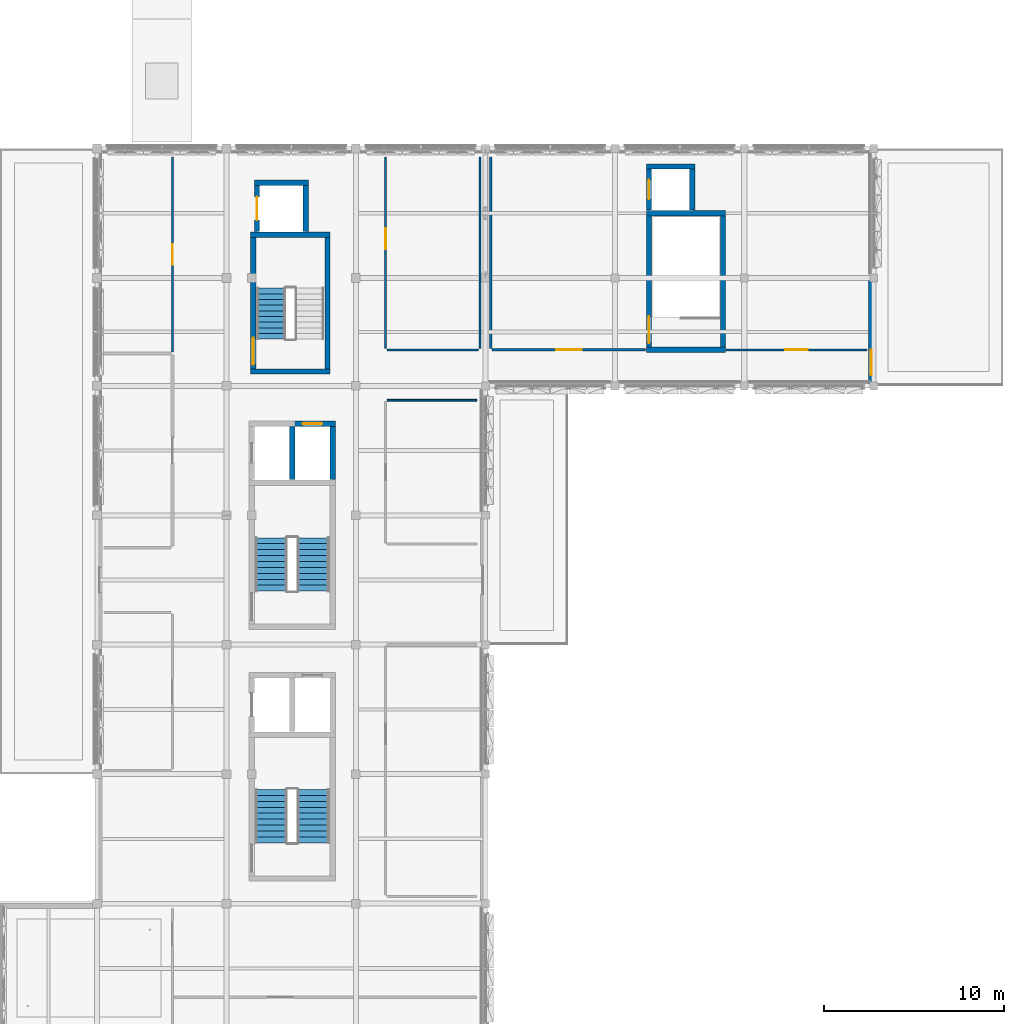
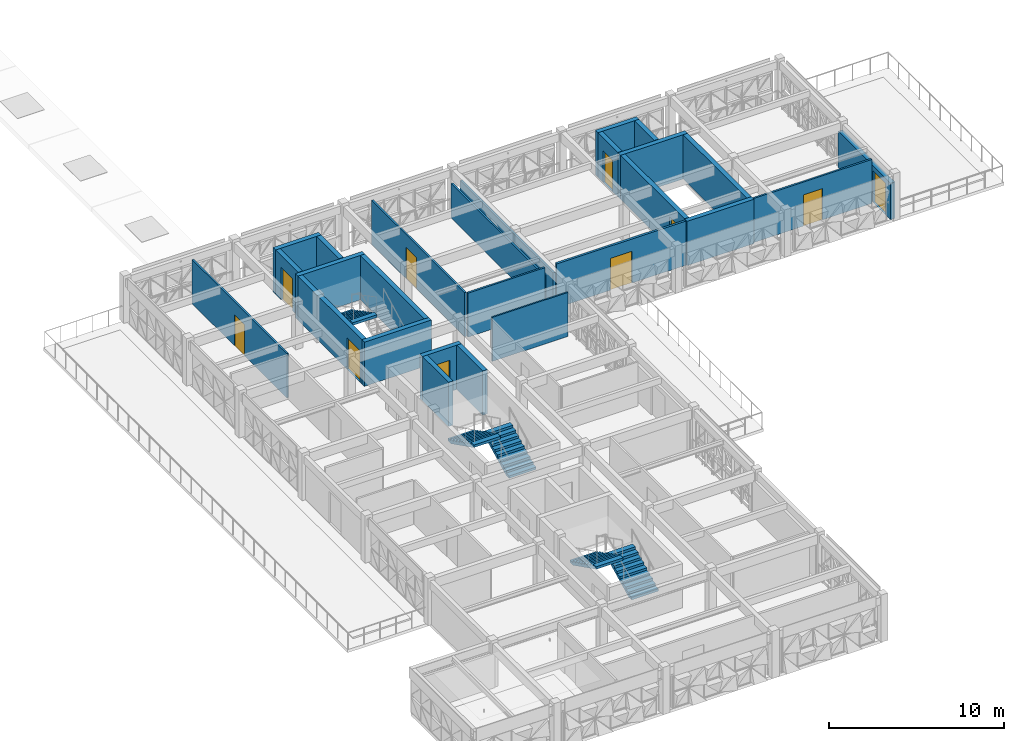
# One storey, part 20 of 35: 26 walls, 10 doors, 5 stair flights, 10 openings, 3 elements without a shape of their own.
"""IFC4 building model written with IfcOpenShell, lengths in metres."""

from ifc_helpers import new_model, si_unit, direction, frame, frame_2d, origin, place, context, subcontext, project, spatial, polyline, rectangle, outline, extrude, material, layer, layer_set, type_object, element, fill, aggregate, save


model = new_model("IFC4")

# Units and contexts
model_context = context("Model", 3, precision=1e-05, world=origin(), true_north=direction((0.0, 1.0)))
body_context = subcontext(model_context, "Body", "Model", "MODEL_VIEW")
ifc_project = project(units=[si_unit("LENGTHUNIT", "METRE"), si_unit("AREAUNIT", "SQUARE_METRE"), si_unit("VOLUMEUNIT", "CUBIC_METRE"), si_unit("PLANEANGLEUNIT", "RADIAN"), si_unit("MASSUNIT", "GRAM", prefix="KILO")], contexts=[model_context])

# Site, building, storey
site_placement = place(None, origin())
site = spatial("IfcSite", under=ifc_project, at=site_placement, CompositionType="ELEMENT")
building_placement = place(site_placement, origin())
building = spatial("IfcBuilding", under=site, at=building_placement, Name="Alvorim Cloister Faculty of Sciences", CompositionType="ELEMENT")
storey_placement = place(building_placement, frame((0.0, 0.0, 22.949951171875)))
storey = spatial("IfcBuildingStorey", under=building, at=storey_placement, Name="L06", CompositionType="ELEMENT", Elevation=22.949951171875)

# Wall, opening, door
ifc_material_1 = material(Name="Cross-Laminated Timber CLT C24", Category="wood")
ifc_layer_1 = layer(ifc_material_1, 0.280029296875)
ifc_layer_set_1 = layer_set([ifc_layer_1], Name="Cross-Laminated Timber CLT C24")
wall_type_1 = type_object("IfcWallType", Name="WL-EXT-TMB-280", PredefinedType="SOLIDWALL", material=ifc_layer_set_1)
wall_1_placement = place(storey_placement, frame((50.260009765625, 43.199951171875, 0.0), z_axis=(0.0, 0.0, 1.0), x_axis=(0.0, 1.0, 0.0)))
wall_1 = element("IfcWall", 1, at=wall_1_placement, inside=storey, type_object=wall_type_1, Name="L06 Exterior Wall WL-0238", PredefinedType="SOLIDWALL", context=body_context, shape_type="SweptSolid", body=[
    extrude(rectangle(XDim=6.0, YDim=0.280029296875, at=frame_2d((3.0, 0.0))), origin(), (0.0, 0.0, 1.0), 2.5400390625),
])
opening_1_placement = place(wall_1_placement, frame((0.60009765625, 0.0, 0.0)))
opening_1 = element("IfcOpeningElement", 2, at=opening_1_placement, cuts=wall_1, Name="Opening TD-12", PredefinedType="OPENING", context=body_context, shape_type="SweptSolid", body=[
    extrude(rectangle(XDim=1.39990234375, YDim=2.199951171875, at=frame_2d((0.699951171875, 1.10009765625))), frame((0.0, 0.15185546875, 0.0), z_axis=(0.0, -1.0, 0.0), x_axis=(1.0, 0.0, 0.0)), (0.0, 0.0, 1.0), 0.303955078125),
])
ifc_material_2 = material(Name="Aluminium Alloy 6063-T6", Category="aluminium")
door_type_1 = type_object("IfcDoorType", Name="DR-TER-1400x2200", OperationType="NOTDEFINED", PredefinedType="DOOR", material=ifc_material_2)
door_1_placement = place(opening_1_placement, origin())
door_1 = element("IfcDoor", 3, at=door_1_placement, inside=storey, type_object=door_type_1, Name="L06 North Laboratory Stepped Terrace Access Door TD-12", OperationType="DOUBLE_DOOR_SINGLE_SWING", OverallHeight=2.199951171875, OverallWidth=1.39990234375, PredefinedType="DOOR", context=body_context, shape_type="SweptSolid", body=[
    extrude(rectangle(XDim=1.39990234375, YDim=2.199951171875, at=frame_2d((0.699951171875, 1.10009765625))), frame((0.0, 0.02490234375, 0.0), z_axis=(0.0, -1.0, 0.0), x_axis=(1.0, 0.0, 0.0)), (0.0, 0.0, 1.0), 0.050048828125),
])
fill(opening_1, door_1)

# Wall
ifc_material_3 = material(Name="Moisture-Resistant Tile Stud Partition", Category="gypsum")
ifc_layer_2 = layer(ifc_material_3, 0.10009765625)
ifc_layer_set_2 = layer_set([ifc_layer_2], Name="Moisture-Resistant Tile Stud Partition")
wall_type_2 = type_object("IfcWallType", Name="WL-PRT-100", PredefinedType="PARTITIONING", material=ifc_layer_set_2)
wall_2_placement = place(storey_placement, frame((23.330078125, 42.39990234375, 0.0), z_axis=(0.0, 0.0, 1.0), x_axis=(1.0, 0.0, 0.0)))
element("IfcWall", 4, at=wall_2_placement, inside=storey, type_object=wall_type_2, Name="L06 L06 Accessible WCs Partition IWL-0680", PredefinedType="PARTITIONING", context=body_context, shape_type="SweptSolid", body=[
    extrude(rectangle(XDim=4.989990234375, YDim=0.10009765625, at=frame_2d((2.4951171875, 0.0))), origin(), (0.0, 0.0, 1.0), 3.074951171875),
])

# Wall, opening, door
ifc_material_4 = material(Name="Acoustic Gypsum Stud Partition", Category="gypsum")
ifc_layer_3 = layer(ifc_material_4, 0.1201171875)
ifc_layer_set_3 = layer_set([ifc_layer_3], Name="Acoustic Gypsum Stud Partition")
wall_type_3 = type_object("IfcWallType", Name="WL-PRT-120", PredefinedType="PARTITIONING", material=ifc_layer_set_3)
wall_3_placement = place(storey_placement, frame((11.39990234375, 45.080078125, 0.0), z_axis=(0.0, 0.0, 1.0), x_axis=(0.0, 1.0, 0.0)))
wall_3 = element("IfcWall", 5, at=wall_3_placement, inside=storey, type_object=wall_type_3, Name="L06 Mathematics Faculty Suite Partition IWL-0674", PredefinedType="PARTITIONING", context=body_context, shape_type="SweptSolid", body=[
    extrude(rectangle(XDim=10.83984375, YDim=0.1201171875, at=frame_2d((5.419921875, 0.0))), origin(), (0.0, 0.0, 1.0), 3.074951171875),
])
opening_2_placement = place(wall_3_placement, frame((4.844970703125, 0.0, 0.0)))
opening_2 = element("IfcOpeningElement", 6, at=opening_2_placement, cuts=wall_3, Name="Opening D-L06-198", PredefinedType="OPENING", context=body_context, shape_type="SweptSolid", body=[
    extrude(rectangle(XDim=1.14990234375, YDim=2.179931640625, at=frame_2d((0.574951171875, 1.08984375))), frame((0.0, 0.072021484375, 0.0), z_axis=(0.0, -1.0, 0.0), x_axis=(1.0, 0.0, 0.0)), (0.0, 0.0, 1.0), 0.14404296875),
])
ifc_material_5 = material(Name="Solid Acoustic Oak Timber", Category="wood")
door_type_2 = type_object("IfcDoorType", Name="DR-OFF-1150x2180", OperationType="NOTDEFINED", PredefinedType="DOOR", material=ifc_material_5)
door_2_placement = place(opening_2_placement, origin())
door_2 = element("IfcDoor", 7, at=door_2_placement, inside=storey, type_object=door_type_2, Name="Mathematics Faculty Suite Door D-L06-198", OperationType="SINGLE_SWING_RIGHT", OverallHeight=2.179931640625, OverallWidth=1.14990234375, PredefinedType="DOOR", context=body_context, shape_type="SweptSolid", body=[
    extrude(rectangle(XDim=1.14990234375, YDim=2.179931640625, at=frame_2d((0.574951171875, 1.08984375))), frame((0.0, 0.02490234375, 0.0), z_axis=(0.0, -1.0, 0.0), x_axis=(1.0, 0.0, 0.0)), (0.0, 0.0, 1.0), 0.050048828125),
])
fill(opening_2, door_2)

wall_4_placement = place(storey_placement, frame((23.25, 45.280029296875, 0.0), z_axis=(0.0, 0.0, 1.0), x_axis=(0.0, 1.0, 0.0)))
wall_4 = element("IfcWall", 8, at=wall_4_placement, inside=storey, type_object=wall_type_3, Name="L06 Astrophysics Faculty Fellows Suite Partition IWL-0681", PredefinedType="PARTITIONING", context=body_context, shape_type="SweptSolid", body=[
    extrude(rectangle(XDim=10.639892578125, YDim=0.1201171875, at=frame_2d((5.31982421875, 0.0))), origin(), (0.0, 0.0, 1.0), 3.074951171875),
])
opening_3_placement = place(wall_4_placement, frame((5.530517578125, 0.0, 0.0)))
opening_3 = element("IfcOpeningElement", 9, at=opening_3_placement, cuts=wall_4, Name="Opening D-L06-201", PredefinedType="OPENING", context=body_context, shape_type="SweptSolid", body=[
    extrude(rectangle(XDim=1.14990234375, YDim=2.179931640625, at=frame_2d((0.574951171875, 1.08984375))), frame((0.0, 0.072021484375, 0.0), z_axis=(0.0, -1.0, 0.0), x_axis=(1.0, 0.0, 0.0)), (0.0, 0.0, 1.0), 0.14404296875),
])
door_3_placement = place(opening_3_placement, origin())
door_3 = element("IfcDoor", 10, at=door_3_placement, inside=storey, type_object=door_type_2, Name="Astrophysics Faculty Fellows Suite Door D-L06-201", OperationType="SINGLE_SWING_LEFT", OverallHeight=2.179931640625, OverallWidth=1.14990234375, PredefinedType="DOOR", context=body_context, shape_type="SweptSolid", body=[
    extrude(rectangle(XDim=1.14990234375, YDim=2.179931640625, at=frame_2d((0.574951171875, 1.08984375))), frame((0.0, 0.02490234375, 0.0), z_axis=(0.0, -1.0, 0.0), x_axis=(1.0, 0.0, 0.0)), (0.0, 0.0, 1.0), 0.050048828125),
])
fill(opening_3, door_3)

# Walls
wall_5_placement = place(storey_placement, frame((23.330078125, 45.199951171875, 0.0), z_axis=(0.0, 0.0, 1.0), x_axis=(1.0, 0.0, 0.0)))
element("IfcWall", 11, at=wall_5_placement, inside=storey, type_object=wall_type_3, Name="L06 Astrophysics Faculty Fellows Suite Partition IWL-0682", PredefinedType="PARTITIONING", context=body_context, shape_type="SweptSolid", body=[
    extrude(rectangle(XDim=5.08984375, YDim=0.1201171875, at=frame_2d((2.544921875, 0.0))), origin(), (0.0, 0.0, 1.0), 3.074951171875),
])
wall_6_placement = place(storey_placement, frame((28.5, 45.280029296875, 0.0), z_axis=(0.0, 0.0, 1.0), x_axis=(0.0, 1.0, 0.0)))
element("IfcWall", 12, at=wall_6_placement, inside=storey, type_object=wall_type_3, Name="L06 Astrophysics Faculty Fellows Suite Partition IWL-0683", PredefinedType="PARTITIONING", context=body_context, shape_type="SweptSolid", body=[
    extrude(rectangle(XDim=10.639892578125, YDim=0.1201171875, at=frame_2d((5.31982421875, 0.0))), origin(), (0.0, 0.0, 1.0), 2.4150390625),
])

# Wall, opening, door
wall_7_placement = place(storey_placement, frame((42.179931640625, 45.199951171875, 0.0), z_axis=(0.0, 0.0, 1.0), x_axis=(1.0, 0.0, 0.0)))
wall_7 = element("IfcWall", 13, at=wall_7_placement, inside=storey, type_object=wall_type_3, Name="L06 North Terrace Seminar Room 602 Partition IWL-0686", PredefinedType="PARTITIONING", context=body_context, shape_type="SweptSolid", body=[
    extrude(rectangle(XDim=7.840087890625, YDim=0.1201171875, at=frame_2d((3.919921875, 0.0))), origin(), (0.0, 0.0, 1.0), 3.074951171875),
])
opening_4_placement = place(wall_7_placement, frame((3.2900390625, 0.0, 0.0)))
opening_4 = element("IfcOpeningElement", 14, at=opening_4_placement, cuts=wall_7, Name="Opening D-L06-203", PredefinedType="OPENING", context=body_context, shape_type="SweptSolid", body=[
    extrude(rectangle(XDim=1.260009765625, YDim=2.179931640625, at=frame_2d((0.6298828125, 1.08984375))), frame((0.0, 0.072021484375, 0.0), z_axis=(0.0, -1.0, 0.0), x_axis=(1.0, 0.0, 0.0)), (0.0, 0.0, 1.0), 0.14404296875),
])
door_type_3 = type_object("IfcDoorType", Name="DR-SEM-1260x2180", OperationType="NOTDEFINED", PredefinedType="DOOR", material=ifc_material_5)
door_4_placement = place(opening_4_placement, origin())
door_4 = element("IfcDoor", 15, at=door_4_placement, inside=storey, type_object=door_type_3, Name="North Terrace Seminar Room 602 Door D-L06-203", OperationType="SINGLE_SWING_LEFT", OverallHeight=2.179931640625, OverallWidth=1.260009765625, PredefinedType="DOOR", context=body_context, shape_type="SweptSolid", body=[
    extrude(rectangle(XDim=1.260009765625, YDim=2.179931640625, at=frame_2d((0.6298828125, 1.08984375))), frame((0.0, 0.02490234375, 0.0), z_axis=(0.0, -1.0, 0.0), x_axis=(1.0, 0.0, 0.0)), (0.0, 0.0, 1.0), 0.050048828125),
])
fill(opening_4, door_4)

# Wall
ifc_material_6 = material(Name="Gypsum Fireboard Stud Partition", Category="gypsum")
ifc_layer_4 = layer(ifc_material_6, 0.14990234375)
ifc_layer_set_4 = layer_set([ifc_layer_4], Name="Gypsum Fireboard Stud Partition")
wall_type_4 = type_object("IfcWallType", Name="WL-PRT-150", PredefinedType="PARTITIONING", material=ifc_layer_set_4)
wall_8_placement = place(storey_placement, frame((29.10009765625, 45.280029296875, 0.0), z_axis=(0.0, 0.0, 1.0), x_axis=(0.0, 1.0, 0.0)))
element("IfcWall", 16, at=wall_8_placement, inside=storey, type_object=wall_type_4, Name="L06 Astrophysics Detector Laboratory Partition IWL-0684", PredefinedType="PARTITIONING", context=body_context, shape_type="SweptSolid", body=[
    extrude(rectangle(XDim=10.639892578125, YDim=0.14990234375, at=frame_2d((5.31982421875, 0.0))), origin(), (0.0, 0.0, 1.0), 2.4150390625),
])

# Wall, opening, door
wall_9_placement = place(storey_placement, frame((29.179931640625, 45.199951171875, 0.0), z_axis=(0.0, 0.0, 1.0), x_axis=(1.0, 0.0, 0.0)))
wall_9 = element("IfcWall", 17, at=wall_9_placement, inside=storey, type_object=wall_type_4, Name="L06 Astrophysics Detector Laboratory Partition IWL-0685", PredefinedType="PARTITIONING", context=body_context, shape_type="SweptSolid", body=[
    extrude(rectangle(XDim=8.5400390625, YDim=0.14990234375, at=frame_2d((4.27001953125, 0.0))), origin(), (0.0, 0.0, 1.0), 3.074951171875),
])
opening_5_placement = place(wall_9_placement, frame((3.56005859375, 0.0, 0.0)))
opening_5 = element("IfcOpeningElement", 18, at=opening_5_placement, cuts=wall_9, Name="Opening D-L06-202", PredefinedType="OPENING", context=body_context, shape_type="SweptSolid", body=[
    extrude(rectangle(XDim=1.419921875, YDim=2.219970703125, at=frame_2d((0.7099609375, 1.10986328125))), frame((0.0, 0.0869140625, 0.0), z_axis=(0.0, -1.0, 0.0), x_axis=(1.0, 0.0, 0.0)), (0.0, 0.0, 1.0), 0.173828125),
])
ifc_material_7 = material(Name="Fire-Rated Laminate Timber", Category="wood")
door_type_4 = type_object("IfcDoorType", Name="DR-LAB-1420x2220", OperationType="NOTDEFINED", PredefinedType="DOOR", material=ifc_material_7)
door_5_placement = place(opening_5_placement, origin())
door_5 = element("IfcDoor", 19, at=door_5_placement, inside=storey, type_object=door_type_4, Name="Astrophysics Detector Laboratory Door D-L06-202", OperationType="SINGLE_SWING_RIGHT", OverallHeight=2.219970703125, OverallWidth=1.419921875, PredefinedType="DOOR", context=body_context, shape_type="SweptSolid", body=[
    extrude(rectangle(XDim=1.419921875, YDim=2.219970703125, at=frame_2d((0.7099609375, 1.10986328125))), frame((0.0, 0.02490234375, 0.0), z_axis=(0.0, -1.0, 0.0), x_axis=(1.0, 0.0, 0.0)), (0.0, 0.0, 1.0), 0.050048828125),
])
fill(opening_5, door_5)

# Walls
ifc_material_8 = material(Name="Concrete C40", Category="concrete")
ifc_layer_5 = layer(ifc_material_8, 0.300048828125)
ifc_layer_set_5 = layer_set([ifc_layer_5], Name="Concrete C40")
wall_type_5 = type_object("IfcWallType", Name="WL-SHR-300", PredefinedType="SHEAR", material=ifc_layer_set_5)
for number, where, z_axis, x_axis, name in (
    (20, (15.75, 44.0, 0.0), (0.0, 0.0, 1.0), (1.0, 0.0, 0.0), "L06 CORE K3 Shear Wall IWL-0117"),
    (21, (15.75, 51.60009765625, 0.0), (0.0, 0.0, 1.0), (1.0, 0.0, 0.0), "L06 CORE K3 Shear Wall IWL-0118"),
):
    element("IfcWall", number, at=place(storey_placement, frame(where, z_axis=z_axis, x_axis=x_axis)), inside=storey, type_object=wall_type_5, Name=name, PredefinedType="SHEAR", context=body_context, shape_type="SweptSolid", body=[
        extrude(rectangle(XDim=4.419921875, YDim=0.300048828125, at=frame_2d((2.2099609375, 0.0))), origin(), (0.0, 0.0, 1.0), 3.090087890625),
    ])

# Wall, opening, door
wall_10_placement = place(storey_placement, frame((15.89990234375, 44.14990234375, 0.0), z_axis=(0.0, 0.0, 1.0), x_axis=(0.0, 1.0, 0.0)))
wall_10 = element("IfcWall", 22, at=wall_10_placement, inside=storey, type_object=wall_type_5, Name="L06 CORE K3 Shear Wall IWL-0119", PredefinedType="SHEAR", context=body_context, shape_type="SweptSolid", body=[
    extrude(rectangle(XDim=7.300048828125, YDim=0.300048828125, at=frame_2d((3.64990234375, 0.0))), origin(), (0.0, 0.0, 1.0), 3.090087890625),
])
opening_6_placement = place(wall_10_placement, frame((0.219970703125, 0.0, 0.0)))
opening_6 = element("IfcOpeningElement", 23, at=opening_6_placement, cuts=wall_10, Name="Opening SD-K3-L06", PredefinedType="OPENING", context=body_context, shape_type="SweptSolid", body=[
    extrude(rectangle(XDim=1.5, YDim=2.199951171875, at=frame_2d((0.75, 1.10009765625))), frame((0.0, 0.162109375, 0.0), z_axis=(0.0, -1.0, 0.0), x_axis=(1.0, 0.0, 0.0)), (0.0, 0.0, 1.0), 0.323974609375),
])
ifc_material_9 = material(Name="Galvanised Fire-Rated Steel", Category="steel")
door_type_5 = type_object("IfcDoorType", Name="DR-STR-1500x2200", OperationType="NOTDEFINED", PredefinedType="DOOR", material=ifc_material_9)
door_6_placement = place(opening_6_placement, origin())
door_6 = element("IfcDoor", 24, at=door_6_placement, inside=storey, type_object=door_type_5, Name="L06 Stair ST-03 Fire Door SD-K3-L06", OperationType="DOUBLE_DOOR_SINGLE_SWING", OverallHeight=2.199951171875, OverallWidth=1.5, PredefinedType="DOOR", context=body_context, shape_type="SweptSolid", body=[
    extrude(rectangle(XDim=1.5, YDim=2.199951171875, at=frame_2d((0.75, 1.10009765625))), frame((0.0, 0.02490234375, 0.0), z_axis=(0.0, -1.0, 0.0), x_axis=(1.0, 0.0, 0.0)), (0.0, 0.0, 1.0), 0.050048828125),
])
fill(opening_6, door_6)

# Walls
wall_11_placement = place(storey_placement, frame((20.02001953125, 44.14990234375, 0.0), z_axis=(0.0, 0.0, 1.0), x_axis=(0.0, 1.0, 0.0)))
element("IfcWall", 25, at=wall_11_placement, inside=storey, type_object=wall_type_5, Name="L06 CORE K3 Shear Wall IWL-0120", PredefinedType="SHEAR", context=body_context, shape_type="SweptSolid", body=[
    extrude(rectangle(XDim=7.300048828125, YDim=0.300048828125, at=frame_2d((3.64990234375, 0.0))), origin(), (0.0, 0.0, 1.0), 3.090087890625),
])
for number, where, z_axis, x_axis, name in (
    (26, (37.75, 45.199951171875, 0.0), (0.0, 0.0, 1.0), (1.0, 0.0, 0.0), "L06 CORE K4 Shear Wall IWL-0157"),
    (27, (37.75, 52.800048828125, 0.0), (0.0, 0.0, 1.0), (1.0, 0.0, 0.0), "L06 CORE K4 Shear Wall IWL-0158"),
):
    element("IfcWall", number, at=place(storey_placement, frame(where, z_axis=z_axis, x_axis=x_axis)), inside=storey, type_object=wall_type_5, Name=name, PredefinedType="SHEAR", context=body_context, shape_type="SweptSolid", body=[
        extrude(rectangle(XDim=4.419921875, YDim=0.300048828125, at=frame_2d((2.2099609375, 0.0))), origin(), (0.0, 0.0, 1.0), 3.090087890625),
    ])

# Wall, opening, door
wall_12_placement = place(storey_placement, frame((37.89990234375, 45.35009765625, 0.0), z_axis=(0.0, 0.0, 1.0), x_axis=(0.0, 1.0, 0.0)))
wall_12 = element("IfcWall", 28, at=wall_12_placement, inside=storey, type_object=wall_type_5, Name="L06 CORE K4 Shear Wall IWL-0159", PredefinedType="SHEAR", context=body_context, shape_type="SweptSolid", body=[
    extrude(rectangle(XDim=7.2998046875, YDim=0.300048828125, at=frame_2d((3.64990234375, 0.0))), origin(), (0.0, 0.0, 1.0), 3.090087890625),
])
opening_7_placement = place(wall_12_placement, frame((0.219970703125, 0.0, 0.0)))
opening_7 = element("IfcOpeningElement", 29, at=opening_7_placement, cuts=wall_12, Name="Opening SD-K4-L06", PredefinedType="OPENING", context=body_context, shape_type="SweptSolid", body=[
    extrude(rectangle(XDim=1.5, YDim=2.199951171875, at=frame_2d((0.75, 1.10009765625))), frame((0.0, 0.162109375, 0.0), z_axis=(0.0, -1.0, 0.0), x_axis=(1.0, 0.0, 0.0)), (0.0, 0.0, 1.0), 0.323974609375),
])
door_7_placement = place(opening_7_placement, origin())
door_7 = element("IfcDoor", 30, at=door_7_placement, inside=storey, type_object=door_type_5, Name="L06 Stair ST-04 Fire Door SD-K4-L06", OperationType="DOUBLE_DOOR_SINGLE_SWING", OverallHeight=2.199951171875, OverallWidth=1.5, PredefinedType="DOOR", context=body_context, shape_type="SweptSolid", body=[
    extrude(rectangle(XDim=1.5, YDim=2.199951171875, at=frame_2d((0.75, 1.10009765625))), frame((0.0, 0.02490234375, 0.0), z_axis=(0.0, -1.0, 0.0), x_axis=(1.0, 0.0, 0.0)), (0.0, 0.0, 1.0), 0.050048828125),
])
fill(opening_7, door_7)

# Walls
wall_13_placement = place(storey_placement, frame((42.02001953125, 45.35009765625, 0.0), z_axis=(0.0, 0.0, 1.0), x_axis=(0.0, 1.0, 0.0)))
element("IfcWall", 31, at=wall_13_placement, inside=storey, type_object=wall_type_5, Name="L06 CORE K4 Shear Wall IWL-0160", PredefinedType="SHEAR", context=body_context, shape_type="SweptSolid", body=[
    extrude(rectangle(XDim=7.2998046875, YDim=0.300048828125, at=frame_2d((3.64990234375, 0.0))), origin(), (0.0, 0.0, 1.0), 3.090087890625),
])
wall_14_placement = place(storey_placement, frame((18.06005859375, 37.97998046875, 0.0), z_axis=(0.0, 0.0, 1.0), x_axis=(0.0, 1.0, 0.0)))
element("IfcWall", 32, at=wall_14_placement, inside=storey, type_object=wall_type_5, Name="L06 Lift LP-02 Shaft Wall IWL-0311", PredefinedType="SHEAR", context=body_context, shape_type="SweptSolid", body=[
    extrude(rectangle(XDim=2.969970703125, YDim=0.300048828125, at=frame_2d((1.48486328125, 0.0))), origin(), (0.0, 0.0, 1.0), 3.090087890625),
])

# Wall, opening, door
wall_15_placement = place(storey_placement, frame((17.909912109375, 41.10009765625, 0.0), z_axis=(0.0, 0.0, 1.0), x_axis=(1.0, 0.0, 0.0)))
wall_15 = element("IfcWall", 33, at=wall_15_placement, inside=storey, type_object=wall_type_5, Name="L06 Lift LP-03 Shaft Wall IWL-0332", PredefinedType="SHEAR", context=body_context, shape_type="SweptSolid", body=[
    extrude(rectangle(XDim=2.56005859375, YDim=0.300048828125, at=frame_2d((1.280029296875, 0.0))), origin(), (0.0, 0.0, 1.0), 3.090087890625),
])
opening_8_placement = place(wall_15_placement, frame((0.72998046875, 0.0, 0.0)))
opening_8 = element("IfcOpeningElement", 34, at=opening_8_placement, cuts=wall_15, Name="Opening LD-040", PredefinedType="OPENING", context=body_context, shape_type="SweptSolid", body=[
    extrude(rectangle(XDim=1.10009765625, YDim=2.199951171875, at=frame_2d((0.550048828125, 1.10009765625))), frame((0.0, 0.162109375, 0.0), z_axis=(0.0, -1.0, 0.0), x_axis=(1.0, 0.0, 0.0)), (0.0, 0.0, 1.0), 0.323974609375),
])
ifc_material_10 = material(Name="Brushed Stainless Steel", Category="steel")
door_type_6 = type_object("IfcDoorType", Name="DR-LFT-1100x2200", OperationType="NOTDEFINED", PredefinedType="DOOR", material=ifc_material_10)
door_8_placement = place(opening_8_placement, origin())
door_8 = element("IfcDoor", 35, at=door_8_placement, inside=storey, type_object=door_type_6, Name="L06 Lift LP-03 Sliding Landing Door LD-040", OperationType="DOUBLE_DOOR_SLIDING", OverallHeight=2.199951171875, OverallWidth=1.10009765625, PredefinedType="DOOR", context=body_context, shape_type="SweptSolid", body=[
    extrude(rectangle(XDim=1.10009765625, YDim=2.199951171875, at=frame_2d((0.550048828125, 1.10009765625))), frame((0.0, 0.02490234375, 0.0), z_axis=(0.0, -1.0, 0.0), x_axis=(1.0, 0.0, 0.0)), (0.0, 0.0, 1.0), 0.050048828125),
])
fill(opening_8, door_8)

# Walls
wall_16_placement = place(storey_placement, frame((20.320068359375, 37.97998046875, 0.0), z_axis=(0.0, 0.0, 1.0), x_axis=(0.0, 1.0, 0.0)))
element("IfcWall", 36, at=wall_16_placement, inside=storey, type_object=wall_type_5, Name="L06 Lift LP-03 Shaft Wall IWL-0333", PredefinedType="SHEAR", context=body_context, shape_type="SweptSolid", body=[
    extrude(rectangle(XDim=2.969970703125, YDim=0.300048828125, at=frame_2d((1.48486328125, 0.0))), origin(), (0.0, 0.0, 1.0), 3.090087890625),
])
wall_17_placement = place(storey_placement, frame((37.75, 55.39990234375, 0.0), z_axis=(0.0, 0.0, 1.0), x_axis=(1.0, 0.0, 0.0)))
element("IfcWall", 37, at=wall_17_placement, inside=storey, type_object=wall_type_5, Name="L06 Lift LP-04 Shaft Wall IWL-0359", PredefinedType="SHEAR", context=body_context, shape_type="SweptSolid", body=[
    extrude(rectangle(XDim=2.699951171875, YDim=0.300048828125, at=frame_2d((1.35009765625, 0.0))), origin(), (0.0, 0.0, 1.0), 3.090087890625),
])

# Wall, opening, door
wall_18_placement = place(storey_placement, frame((37.89990234375, 52.97998046875, 0.0), z_axis=(0.0, 0.0, 1.0), x_axis=(0.0, 1.0, 0.0)))
wall_18 = element("IfcWall", 38, at=wall_18_placement, inside=storey, type_object=wall_type_5, Name="L06 Lift LP-04 Shaft Wall IWL-0360", PredefinedType="SHEAR", context=body_context, shape_type="SweptSolid", body=[
    extrude(rectangle(XDim=2.27001953125, YDim=0.300048828125, at=frame_2d((1.135009765625, 0.0))), origin(), (0.0, 0.0, 1.0), 3.090087890625),
])
opening_9_placement = place(wall_18_placement, frame((0.5849609375, 0.0, 0.0)))
opening_9 = element("IfcOpeningElement", 39, at=opening_9_placement, cuts=wall_18, Name="Opening LD-050", PredefinedType="OPENING", context=body_context, shape_type="SweptSolid", body=[
    extrude(rectangle(XDim=1.10009765625, YDim=2.199951171875, at=frame_2d((0.550048828125, 1.10009765625))), frame((0.0, 0.162109375, 0.0), z_axis=(0.0, -1.0, 0.0), x_axis=(1.0, 0.0, 0.0)), (0.0, 0.0, 1.0), 0.323974609375),
])
door_9_placement = place(opening_9_placement, origin())
door_9 = element("IfcDoor", 40, at=door_9_placement, inside=storey, type_object=door_type_6, Name="L06 Lift LP-04 Sliding Landing Door LD-050", OperationType="DOUBLE_DOOR_SLIDING", OverallHeight=2.199951171875, OverallWidth=1.10009765625, PredefinedType="DOOR", context=body_context, shape_type="SweptSolid", body=[
    extrude(rectangle(XDim=1.10009765625, YDim=2.199951171875, at=frame_2d((0.550048828125, 1.10009765625))), frame((0.0, 0.02490234375, 0.0), z_axis=(0.0, -1.0, 0.0), x_axis=(1.0, 0.0, 0.0)), (0.0, 0.0, 1.0), 0.050048828125),
])
fill(opening_9, door_9)

# Walls
wall_19_placement = place(storey_placement, frame((40.300048828125, 52.97998046875, 0.0), z_axis=(0.0, 0.0, 1.0), x_axis=(0.0, 1.0, 0.0)))
element("IfcWall", 41, at=wall_19_placement, inside=storey, type_object=wall_type_5, Name="L06 Lift LP-04 Shaft Wall IWL-0361", PredefinedType="SHEAR", context=body_context, shape_type="SweptSolid", body=[
    extrude(rectangle(XDim=2.27001953125, YDim=0.300048828125, at=frame_2d((1.135009765625, 0.0))), origin(), (0.0, 0.0, 1.0), 3.090087890625),
])
wall_20_placement = place(storey_placement, frame((15.949951171875, 54.5, 0.0), z_axis=(0.0, 0.0, 1.0), x_axis=(1.0, 0.0, 0.0)))
element("IfcWall", 42, at=wall_20_placement, inside=storey, type_object=wall_type_5, Name="L06 Lift LG-01 Shaft Wall IWL-0401", PredefinedType="SHEAR", context=body_context, shape_type="SweptSolid", body=[
    extrude(rectangle(XDim=3.0, YDim=0.300048828125, at=frame_2d((1.5, 0.0))), origin(), (0.0, 0.0, 1.0), 3.090087890625),
])

# Wall, opening, door
wall_21_placement = place(storey_placement, frame((16.10009765625, 51.780029296875, 0.0), z_axis=(0.0, 0.0, 1.0), x_axis=(0.0, 1.0, 0.0)))
wall_21 = element("IfcWall", 43, at=wall_21_placement, inside=storey, type_object=wall_type_5, Name="L06 Lift LG-01 Shaft Wall IWL-0402", PredefinedType="SHEAR", context=body_context, shape_type="SweptSolid", body=[
    extrude(rectangle(XDim=2.570068359375, YDim=0.300048828125, at=frame_2d((1.28515625, 0.0))), origin(), (0.0, 0.0, 1.0), 3.090087890625),
])
opening_10_placement = place(wall_21_placement, frame((0.635009765625, 0.0, 0.0)))
opening_10 = element("IfcOpeningElement", 44, at=opening_10_placement, cuts=wall_21, Name="Opening LD-064", PredefinedType="OPENING", context=body_context, shape_type="SweptSolid", body=[
    extrude(rectangle(XDim=1.300048828125, YDim=2.25, at=frame_2d((0.64990234375, 1.125))), frame((0.0, 0.162109375, 0.0), z_axis=(0.0, -1.0, 0.0), x_axis=(1.0, 0.0, 0.0)), (0.0, 0.0, 1.0), 0.323974609375),
])
door_type_7 = type_object("IfcDoorType", Name="DR-LFT-1300x2250", OperationType="NOTDEFINED", PredefinedType="DOOR", material=ifc_material_10)
door_10_placement = place(opening_10_placement, origin())
door_10 = element("IfcDoor", 45, at=door_10_placement, inside=storey, type_object=door_type_7, Name="L06 Lift LG-01 Sliding Landing Door LD-064", OperationType="DOUBLE_DOOR_SLIDING", OverallHeight=2.25, OverallWidth=1.300048828125, PredefinedType="DOOR", context=body_context, shape_type="SweptSolid", body=[
    extrude(rectangle(XDim=1.300048828125, YDim=2.25, at=frame_2d((0.64990234375, 1.125))), frame((0.0, 0.02490234375, 0.0), z_axis=(0.0, -1.0, 0.0), x_axis=(1.0, 0.0, 0.0)), (0.0, 0.0, 1.0), 0.050048828125),
])
fill(opening_10, door_10)

# Wall
wall_22_placement = place(storey_placement, frame((18.800048828125, 51.780029296875, 0.0), z_axis=(0.0, 0.0, 1.0), x_axis=(0.0, 1.0, 0.0)))
element("IfcWall", 46, at=wall_22_placement, inside=storey, type_object=wall_type_5, Name="L06 Lift LG-01 Shaft Wall IWL-0403", PredefinedType="SHEAR", context=body_context, shape_type="SweptSolid", body=[
    extrude(rectangle(XDim=2.570068359375, YDim=0.300048828125, at=frame_2d((1.28515625, 0.0))), origin(), (0.0, 0.0, 1.0), 3.090087890625),
])

# Stair, stair flights
stair_type_1 = type_object("IfcStairType", Name="STR-ST-01-1780x3300", PredefinedType="HALF_TURN_STAIR", material=ifc_material_8)
stair_1_placement = place(storey_placement, origin())
stair_1 = element("IfcStair", 47, at=stair_1_placement, inside=storey, type_object=stair_type_1, Name="L06 Enclosed Smoke-Proof Stair ST-01", PredefinedType="HALF_TURN_STAIR")
stair_flight_type_1 = type_object("IfcStairFlightType", Name="FLT-ST-01-1780x1650", PredefinedType="STRAIGHT", material=ifc_material_8)
stair_flight_1_placement = place(storey_placement, frame((19.22998046875, 17.780029296875, 0.0), z_axis=(0.0, 0.0, 1.0), x_axis=(0.0, 1.0, 0.0)))
stair_flight_1 = element("IfcStairFlight", 48, at=stair_flight_1_placement, type_object=stair_flight_type_1, Name="ST-01 flight 1", NumberOfRisers=10, NumberOfTreads=9, PredefinedType="STRAIGHT", RiserHeight=0.165, TreadLength=0.33, context=body_context, shape_type="SweptSolid", body=[
    extrude(outline(polyline([(0.357666015625, 0.0), (2.969970703125, 1.30615234375), (2.969970703125, 1.64990234375), (2.969970703125, 1.485107421875), (2.639892578125, 1.485107421875), (2.639892578125, 1.320068359375), (2.31005859375, 1.320068359375), (2.31005859375, 1.155029296875), (1.97998046875, 1.155029296875), (1.97998046875, 0.989990234375), (1.64990234375, 0.989990234375), (1.64990234375, 0.824951171875), (1.320068359375, 0.824951171875), (1.320068359375, 0.659912109375), (0.989990234375, 0.659912109375), (0.989990234375, 0.4951171875), (0.659912109375, 0.4951171875), (0.659912109375, 0.330078125), (0.330078125, 0.330078125), (0.330078125, 0.1650390625), (0.0, 0.1650390625), (0.0, 0.0), (0.357666015625, 0.0)])), frame((0.0, 0.89013671875, 0.0), z_axis=(0.0, -1.0, 0.0), x_axis=(1.0, 0.0, 0.0)), (0.0, 0.0, 1.0), 1.780029296875),
])
stair_flight_2_placement = place(storey_placement, frame((16.889892578125, 20.75, 1.650146484375), z_axis=(0.0, 0.0, 1.0), x_axis=(0.0, -1.0, 0.0)))
stair_flight_2 = element("IfcStairFlight", 49, at=stair_flight_2_placement, type_object=stair_flight_type_1, Name="ST-01 flight 2", NumberOfRisers=10, NumberOfTreads=9, PredefinedType="STRAIGHT", RiserHeight=0.165, TreadLength=0.33, context=body_context, shape_type="SweptSolid", body=[
    extrude(outline(polyline([(0.357666015625, 0.0), (2.969970703125, 1.30615234375), (2.969970703125, 1.64990234375), (2.969970703125, 1.485107421875), (2.639892578125, 1.485107421875), (2.639892578125, 1.320068359375), (2.31005859375, 1.320068359375), (2.31005859375, 1.155029296875), (1.97998046875, 1.155029296875), (1.97998046875, 0.989990234375), (1.64990234375, 0.989990234375), (1.64990234375, 0.824951171875), (1.320068359375, 0.824951171875), (1.320068359375, 0.659912109375), (0.989990234375, 0.659912109375), (0.989990234375, 0.4951171875), (0.659912109375, 0.4951171875), (0.659912109375, 0.330078125), (0.330078125, 0.330078125), (0.330078125, 0.1650390625), (0.0, 0.1650390625), (0.0, 0.0), (0.357666015625, 0.0)])), frame((0.0, 0.89013671875, 0.0), z_axis=(0.0, -1.0, 0.0), x_axis=(1.0, 0.0, 0.0)), (0.0, 0.0, 1.0), 1.780029296875),
])
aggregate(stair_1, [stair_flight_1, stair_flight_2])

stair_type_2 = type_object("IfcStairType", Name="STR-ST-02-1780x3300", PredefinedType="HALF_TURN_STAIR", material=ifc_material_8)
stair_2_placement = place(storey_placement, origin())
stair_2 = element("IfcStair", 50, at=stair_2_placement, inside=storey, type_object=stair_type_2, Name="L06 Enclosed Smoke-Proof Stair ST-02", PredefinedType="HALF_TURN_STAIR")
stair_flight_type_2 = type_object("IfcStairFlightType", Name="FLT-ST-02-1780x1650", PredefinedType="STRAIGHT", material=ifc_material_8)
stair_flight_3_placement = place(storey_placement, frame((19.22998046875, 31.780029296875, 0.0), z_axis=(0.0, 0.0, 1.0), x_axis=(0.0, 1.0, 0.0)))
stair_flight_3 = element("IfcStairFlight", 51, at=stair_flight_3_placement, type_object=stair_flight_type_2, Name="ST-02 flight 1", NumberOfRisers=10, NumberOfTreads=9, PredefinedType="STRAIGHT", RiserHeight=0.165, TreadLength=0.33, context=body_context, shape_type="SweptSolid", body=[
    extrude(outline(polyline([(0.357666015625, 0.0), (2.969970703125, 1.30615234375), (2.969970703125, 1.64990234375), (2.969970703125, 1.485107421875), (2.639892578125, 1.485107421875), (2.639892578125, 1.320068359375), (2.31005859375, 1.320068359375), (2.31005859375, 1.155029296875), (1.97998046875, 1.155029296875), (1.97998046875, 0.989990234375), (1.64990234375, 0.989990234375), (1.64990234375, 0.824951171875), (1.320068359375, 0.824951171875), (1.320068359375, 0.659912109375), (0.989990234375, 0.659912109375), (0.989990234375, 0.4951171875), (0.659912109375, 0.4951171875), (0.659912109375, 0.330078125), (0.330078125, 0.330078125), (0.330078125, 0.1650390625), (0.0, 0.1650390625), (0.0, 0.0), (0.357666015625, 0.0)])), frame((0.0, 0.89013671875, 0.0), z_axis=(0.0, -1.0, 0.0), x_axis=(1.0, 0.0, 0.0)), (0.0, 0.0, 1.0), 1.780029296875),
])
stair_flight_4_placement = place(storey_placement, frame((16.889892578125, 34.75, 1.650146484375), z_axis=(0.0, 0.0, 1.0), x_axis=(0.0, -1.0, 0.0)))
stair_flight_4 = element("IfcStairFlight", 52, at=stair_flight_4_placement, type_object=stair_flight_type_2, Name="ST-02 flight 2", NumberOfRisers=10, NumberOfTreads=9, PredefinedType="STRAIGHT", RiserHeight=0.165, TreadLength=0.33, context=body_context, shape_type="SweptSolid", body=[
    extrude(outline(polyline([(0.357666015625, 0.0), (2.969970703125, 1.30615234375), (2.969970703125, 1.64990234375), (2.969970703125, 1.485107421875), (2.639892578125, 1.485107421875), (2.639892578125, 1.320068359375), (2.31005859375, 1.320068359375), (2.31005859375, 1.155029296875), (1.97998046875, 1.155029296875), (1.97998046875, 0.989990234375), (1.64990234375, 0.989990234375), (1.64990234375, 0.824951171875), (1.320068359375, 0.824951171875), (1.320068359375, 0.659912109375), (0.989990234375, 0.659912109375), (0.989990234375, 0.4951171875), (0.659912109375, 0.4951171875), (0.659912109375, 0.330078125), (0.330078125, 0.330078125), (0.330078125, 0.1650390625), (0.0, 0.1650390625), (0.0, 0.0), (0.357666015625, 0.0)])), frame((0.0, 0.89013671875, 0.0), z_axis=(0.0, -1.0, 0.0), x_axis=(1.0, 0.0, 0.0)), (0.0, 0.0, 1.0), 1.780029296875),
])
aggregate(stair_2, [stair_flight_3, stair_flight_4])

# Stair, stair flight
stair_type_3 = type_object("IfcStairType", Name="STR-ST-03-1600x3300", PredefinedType="HALF_TURN_STAIR", material=ifc_material_8)
stair_3_placement = place(storey_placement, origin())
stair_3 = element("IfcStair", 53, at=stair_3_placement, inside=storey, type_object=stair_type_3, Name="L06 Enclosed Smoke-Proof Stair ST-03", PredefinedType="HALF_TURN_STAIR")
stair_flight_type_3 = type_object("IfcStairFlightType", Name="FLT-ST-03-1600x1650", PredefinedType="STRAIGHT", material=ifc_material_8)
stair_flight_5_placement = place(storey_placement, frame((16.89990234375, 48.635009765625, 1.650146484375), z_axis=(0.0, 0.0, 1.0), x_axis=(0.0, -1.0, 0.0)))
stair_flight_5 = element("IfcStairFlight", 54, at=stair_flight_5_placement, type_object=stair_flight_type_3, Name="ST-03 flight 2", NumberOfRisers=10, NumberOfTreads=9, PredefinedType="STRAIGHT", RiserHeight=0.165, TreadLength=0.315, context=body_context, shape_type="SweptSolid", body=[
    extrude(outline(polyline([(0.3447265625, 0.0), (2.8349609375, 1.304443359375), (2.8349609375, 1.64990234375), (2.8349609375, 1.485107421875), (2.52001953125, 1.485107421875), (2.52001953125, 1.320068359375), (2.205078125, 1.320068359375), (2.205078125, 1.155029296875), (1.889892578125, 1.155029296875), (1.889892578125, 0.989990234375), (1.574951171875, 0.989990234375), (1.574951171875, 0.824951171875), (1.260009765625, 0.824951171875), (1.260009765625, 0.659912109375), (0.945068359375, 0.659912109375), (0.945068359375, 0.4951171875), (0.6298828125, 0.4951171875), (0.6298828125, 0.330078125), (0.31494140625, 0.330078125), (0.31494140625, 0.1650390625), (0.0, 0.1650390625), (0.0, 0.0), (0.3447265625, 0.0)])), frame((0.0, 0.800048828125, 0.0), z_axis=(0.0, -1.0, 0.0), x_axis=(1.0, 0.0, 0.0)), (0.0, 0.0, 1.0), 1.60009765625),
])
aggregate(stair_3, [stair_flight_5])

save(model, "model.ifc")
